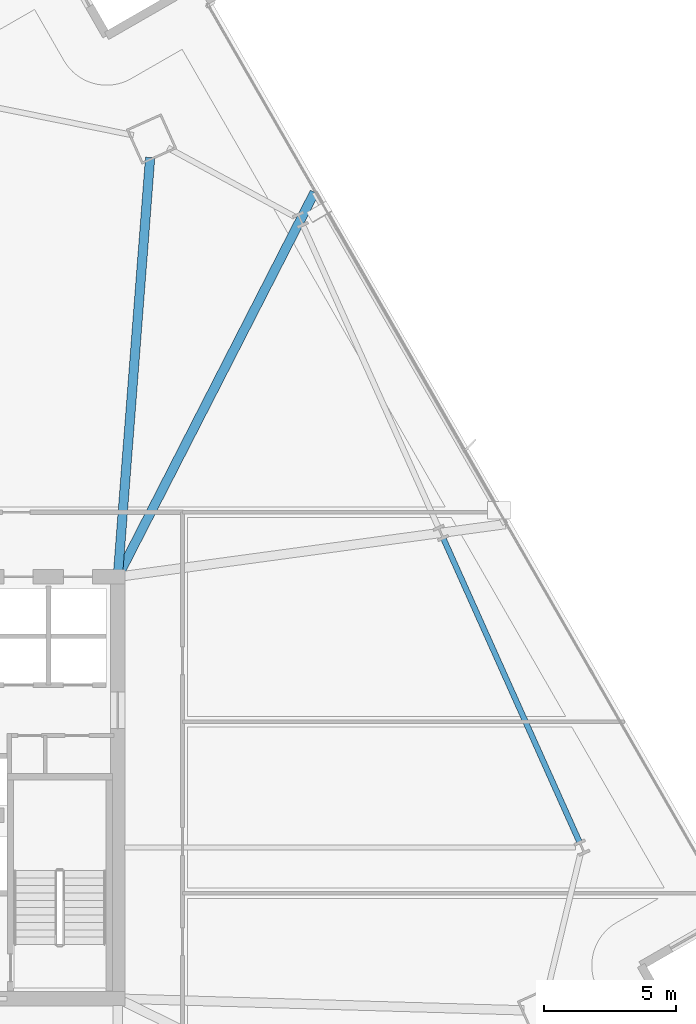
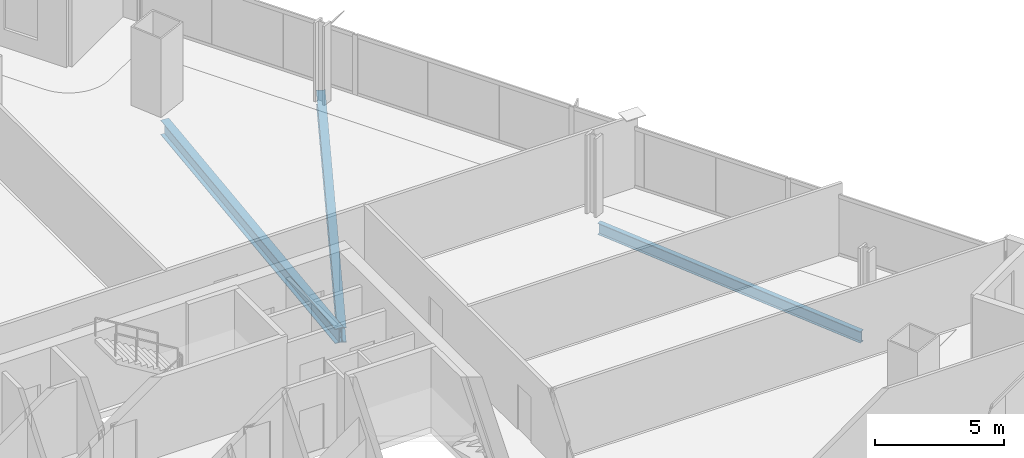
# One storey, part 16 of 33: 3 beams.
"""IFC4 building model written with IfcOpenShell, lengths in metres."""

from ifc_helpers import new_model, si_unit, direction, frame, origin, origin_2d, place, context, subcontext, project, spatial, i_section, extrude, material, material_profile, profile_set, type_object, element, save


model = new_model("IFC4")

# Units and contexts
model_context = context("Model", 3, precision=1e-05, world=origin(), true_north=direction((0.0, 1.0)))
body_context = subcontext(model_context, "Body", "Model", "MODEL_VIEW")
ifc_project = project(units=[si_unit("LENGTHUNIT", "METRE"), si_unit("AREAUNIT", "SQUARE_METRE"), si_unit("VOLUMEUNIT", "CUBIC_METRE"), si_unit("PLANEANGLEUNIT", "RADIAN"), si_unit("MASSUNIT", "GRAM", prefix="KILO")], contexts=[model_context])

# Site, building, storey
site_placement = place(None, origin())
site = spatial("IfcSite", under=ifc_project, at=site_placement, CompositionType="ELEMENT")
building_placement = place(site_placement, origin())
building = spatial("IfcBuilding", under=site, at=building_placement, Name="Haldenkirk Collegiate Tower", CompositionType="ELEMENT")
storey_placement = place(building_placement, frame((0.0, 0.0, 127.949951171875)))
storey = spatial("IfcBuildingStorey", under=building, at=storey_placement, Name="L31", CompositionType="ELEMENT", Elevation=127.949951171875)

# Beams
ifc_material = material(Name="Steel ASTM A992 Grade 50", Category="steel")
ifc_material_profile_1 = material_profile(ifc_material, i_section(OverallWidth=0.35498046875, OverallDepth=0.696044921875, WebThickness=0.015380859375, FlangeThickness=0.02490234375, at=origin_2d()), Name="W27X146")
ifc_profile_set_1 = profile_set([ifc_material_profile_1], Name="Steel ASTM A992 Grade 50")
beam_type_1 = type_object("IfcBeamType", Name="BM-GIRDER-W27X146", PredefinedType="BEAM", material=ifc_profile_set_1)
beam_1_placement = place(storey_placement, frame((46.226806640625, 49.9072265625, -0.64794921875), z_axis=(-0.076898657581, -0.997038914217, 0.0), x_axis=(0.997038914217, -0.076898657581, 0.0)))
element("IfcBeam", 1, at=beam_1_placement, inside=storey, type_object=beam_type_1, Name="L31 primary floor girder 03", PredefinedType="BEAM", context=body_context, shape_type="SweptSolid", body=[
    extrude(i_section(OverallWidth=0.35498046875, OverallDepth=0.696044921875, WebThickness=0.015380859375, FlangeThickness=0.02490234375, at=origin_2d()), origin(), (0.0, 0.0, 1.0), 15.699462890625),
])
beam_2_placement = place(storey_placement, frame((52.46337890625, 48.58447265625, -0.64794921875), z_axis=(-0.455550017699, -0.890210189435, 0.0), x_axis=(0.890210189435, -0.455550017699, 0.0)))
element("IfcBeam", 2, at=beam_2_placement, inside=storey, type_object=beam_type_1, Name="L31 primary floor girder 10", PredefinedType="BEAM", context=body_context, shape_type="SweptSolid", body=[
    extrude(i_section(OverallWidth=0.35498046875, OverallDepth=0.696044921875, WebThickness=0.015380859375, FlangeThickness=0.02490234375, at=origin_2d()), origin(), (0.0, 0.0, 1.0), 16.128173828125),
])
ifc_material_profile_2 = material_profile(ifc_material, i_section(OverallWidth=0.2119140625, OverallDepth=0.5439453125, WebThickness=0.01318359375, FlangeThickness=0.021240234375, at=origin_2d()), Name="W21X83")
ifc_profile_set_2 = profile_set([ifc_material_profile_2], Name="Steel ASTM A992 Grade 50")
beam_type_2 = type_object("IfcBeamType", Name="BM-SPANDREL-W21X83", PredefinedType="SPANDREL", material=ifc_profile_set_2)
beam_3_placement = place(storey_placement, frame((62.50830078125, 23.951416015625, -0.572021484375), z_axis=(-0.409131045523, 0.91247563671, 0.0), x_axis=(-0.91247563671, -0.409131045523, 0.0)))
element("IfcBeam", 3, at=beam_3_placement, inside=storey, type_object=beam_type_2, Name="L31 perimeter spandrel beam 06", PredefinedType="SPANDREL", context=body_context, shape_type="SweptSolid", body=[
    extrude(i_section(OverallWidth=0.2119140625, OverallDepth=0.5439453125, WebThickness=0.01318359375, FlangeThickness=0.021240234375, at=origin_2d()), origin(), (0.0, 0.0, 1.0), 12.593994140625),
])

save(model, "model.ifc")
